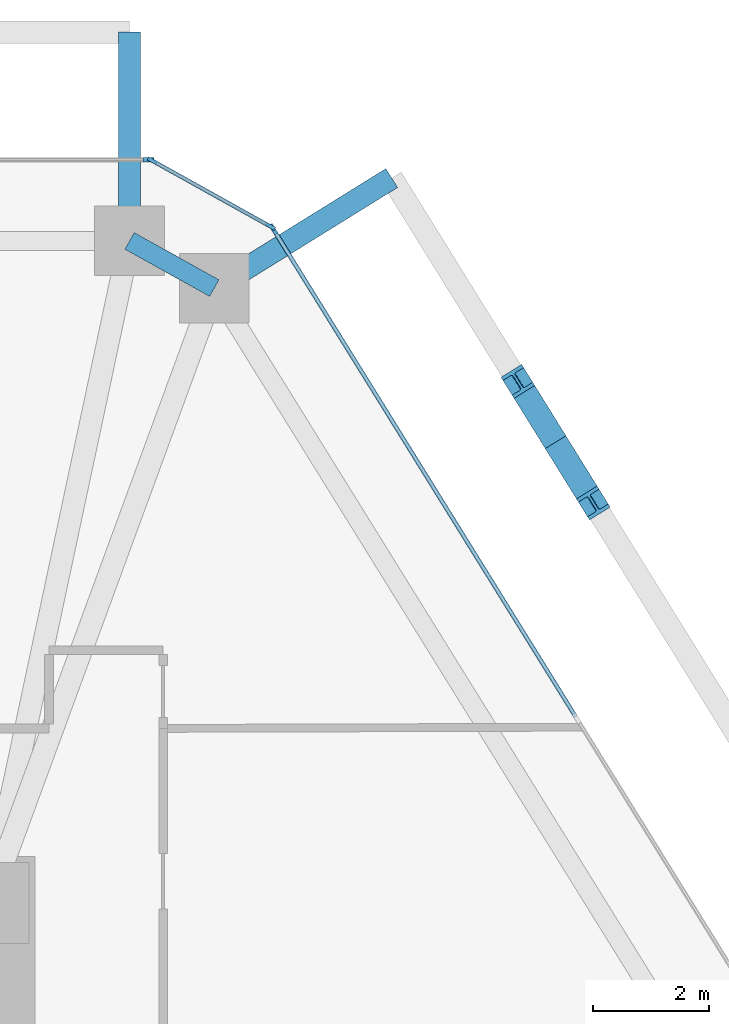
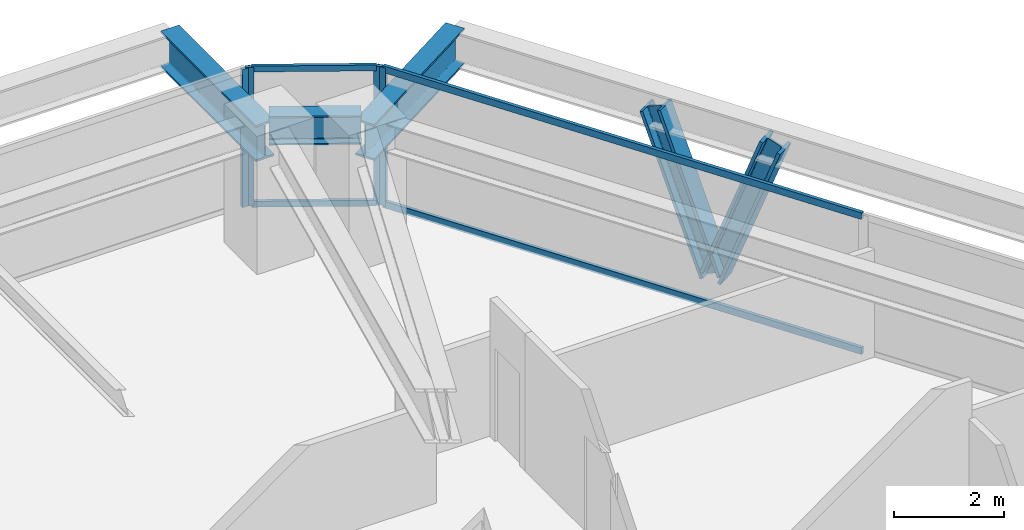
# One storey, part 8 of 13: 10 members, 3 beams, 3 elements without a shape of their own.
"""IFC4 building model written with IfcOpenShell, lengths in metres."""

from ifc_helpers import new_model, si_unit, direction, frame, origin, origin_2d, place, context, subcontext, project, spatial, rectangle, i_section, extrude, source, transform, mapped, material, layer, layer_set, material_profile, profile_set, type_object, type_shapes, element, aggregate, save


model = new_model("IFC4")

# Units and contexts
model_context = context("Model", 3, precision=1e-05, world=origin(), true_north=direction((0.0, 1.0)))
body_context = subcontext(model_context, "Body", "Model", "MODEL_VIEW")
ifc_project = project(units=[si_unit("LENGTHUNIT", "METRE"), si_unit("AREAUNIT", "SQUARE_METRE"), si_unit("VOLUMEUNIT", "CUBIC_METRE"), si_unit("PLANEANGLEUNIT", "RADIAN"), si_unit("MASSUNIT", "GRAM", prefix="KILO")], contexts=[model_context])

# Site, building, storey
site_placement = place(None, origin())
site = spatial("IfcSite", under=ifc_project, at=site_placement, CompositionType="ELEMENT")
building_placement = place(site_placement, origin())
building = spatial("IfcBuilding", under=site, at=building_placement, Name="Durnholm Broadcast Tower", CompositionType="ELEMENT")
storey_placement = place(building_placement, frame((0.0, 0.0, 133.800048828125)))
storey = spatial("IfcBuildingStorey", under=building, at=storey_placement, Name="L36", CompositionType="ELEMENT", Elevation=133.800048828125)

# Beams
ifc_material_1 = material(Name="Steel ASTM A992 Grade 50", Category="steel")
ifc_material_profile_1 = material_profile(ifc_material_1, i_section(OverallWidth=0.385009765625, OverallDepth=0.802978515625, WebThickness=0.023681640625, FlangeThickness=0.0419921875, FilletRadius=0.032958984375, at=origin_2d()), Name="W30X261")
ifc_profile_set_1 = profile_set([ifc_material_profile_1], Name="Steel ASTM A992 Grade 50")
beam_type_1 = type_object("IfcBeamType", Name="BM-EXO-TIE", PredefinedType="USERDEFINED", material=ifc_profile_set_1)
shared_shape_1 = source(origin(), body_context, "Body", "SweptSolid", [
    extrude(i_section(OverallWidth=0.385009765625, OverallDepth=0.802978515625, WebThickness=0.023681640625, FlangeThickness=0.0419921875, FilletRadius=0.032958984375, at=origin_2d()), origin(), (0.0, 0.0, 1.0), 3.4560546875),
])
beam_1_placement = place(storey_placement, frame((12.22998046875, 19.35888671875, 2.30859375), z_axis=(0.0, 1.0, 0.0), x_axis=(-1.0, 0.0, 0.0)))
element("IfcBeam", 1, at=beam_1_placement, inside=storey, type_object=beam_type_1, Name="L36 exoskeleton stand-off tie bracket F4.1", ObjectType="GIRDER", PredefinedType="USERDEFINED", context=body_context, shape_type="MappedRepresentation", body=[
    mapped(shared_shape_1, transform((0.0, 0.0, 0.0), x_axis=(1.0, 0.0, 0.0), y_axis=(0.0, 1.0, 0.0), z_axis=(0.0, 0.0, 1.0), scale=1.0)),
])
shared_shape_2 = source(origin(), body_context, "Body", "SweptSolid", [
    extrude(i_section(OverallWidth=0.385009765625, OverallDepth=0.802978515625, WebThickness=0.023681640625, FlangeThickness=0.0419921875, FilletRadius=0.032958984375, at=origin_2d()), origin(), (0.0, 0.0, 1.0), 3.455810546875),
])
type_shapes(beam_type_1, [shared_shape_1, shared_shape_2])
beam_2_placement = place(storey_placement, frame((13.814697265625, 18.477294921875, 2.30859375), z_axis=(0.849807128357, 0.527093772107, 0.0), x_axis=(-0.527093772107, 0.849807128357, 0.0)))
element("IfcBeam", 2, at=beam_2_placement, inside=storey, type_object=beam_type_1, Name="L36 exoskeleton stand-off tie bracket F3.2", ObjectType="GIRDER", PredefinedType="USERDEFINED", context=body_context, shape_type="MappedRepresentation", body=[
    mapped(shared_shape_2, transform((0.0, 0.0, 0.0), x_axis=(1.0, 0.0, 0.0), y_axis=(0.0, 1.0, 0.0), z_axis=(0.0, 0.0, 1.0), scale=1.0)),
])
ifc_material_profile_2 = material_profile(ifc_material_1, i_section(OverallWidth=0.3291015625, OverallDepth=0.635009765625, WebThickness=0.017822265625, FlangeThickness=0.031005859375, FilletRadius=0.02783203125, at=origin_2d()), Name="W24X162")
ifc_profile_set_2 = profile_set([ifc_material_profile_2], Name="Steel ASTM A992 Grade 50")
beam_type_2 = type_object("IfcBeamType", Name="STL-SP-W24X162", PredefinedType="SPANDREL", material=ifc_profile_set_2)
shared_shape_3 = source(origin(), body_context, "Body", "SweptSolid", [
    extrude(i_section(OverallWidth=0.3291015625, OverallDepth=0.635009765625, WebThickness=0.017822265625, FlangeThickness=0.031005859375, FilletRadius=0.02783203125, at=origin_2d()), origin(), (0.0, 0.0, 1.0), 1.67333984375),
])
type_shapes(beam_type_2, [shared_shape_3])
beam_3_placement = place(storey_placement, frame((12.22998046875, 19.215087890625, 2.7275390625), z_axis=(0.873799169188, -0.486286964586, 0.0), x_axis=(0.486286964586, 0.873799169188, 0.0)))
element("IfcBeam", 3, at=beam_3_placement, inside=storey, type_object=beam_type_2, Name="L36 perimeter spandrel girder 06", PredefinedType="SPANDREL", context=body_context, shape_type="MappedRepresentation", body=[
    mapped(shared_shape_3, transform((0.0, 0.0, 0.0), x_axis=(1.0, 0.0, 0.0), y_axis=(0.0, 1.0, 0.0), z_axis=(0.0, 0.0, 1.0), scale=1.0)),
])

# Members
ifc_material_2 = material(Name="Steel ASTM A913 Grade 65", Category="steel")
ifc_material_profile_3 = material_profile(ifc_material_2, i_section(OverallWidth=0.41845703125, OverallDepth=0.455078125, WebThickness=0.0419921875, FlangeThickness=0.067626953125, FilletRadius=0.030517578125, at=origin_2d()), Name="W14X370")
ifc_profile_set_3 = profile_set([ifc_material_profile_3], Name="Steel ASTM A913 Grade 65")
member_type_1 = type_object("IfcMemberType", Name="STL-DG-W14X370", PredefinedType="BRACE", material=ifc_profile_set_3)
shared_shape_4 = source(origin(), body_context, "Body", "SweptSolid", [
    extrude(i_section(OverallWidth=0.41845703125, OverallDepth=0.455078125, WebThickness=0.0419921875, FlangeThickness=0.067626953125, FilletRadius=0.030517578125, at=origin_2d()), origin(), (0.0, 0.0, 1.0), 3.523193359375),
])
member_1_placement = place(storey_placement, frame((19.576416015625, 15.74462890625, -0.991455078125), z_axis=(-0.184669768468, 0.297619758188, 0.936653381006), x_axis=(-0.849716575602, -0.52723973783, 0.0)))
element("IfcMember", 4, at=member_1_placement, inside=storey, type_object=member_type_1, Name="L36 stand-off diagrid brace F3.D2.2", PredefinedType="BRACE", context=body_context, shape_type="MappedRepresentation", body=[
    mapped(shared_shape_4, transform((0.0, 0.0, 0.0), x_axis=(1.0, 0.0, 0.0), y_axis=(0.0, 1.0, 0.0), z_axis=(0.0, 0.0, 1.0), scale=1.0)),
])
shared_shape_5 = source(origin(), body_context, "Body", "SweptSolid", [
    extrude(i_section(OverallWidth=0.41845703125, OverallDepth=0.455078125, WebThickness=0.0419921875, FlangeThickness=0.067626953125, FilletRadius=0.030517578125, at=origin_2d()), origin(), (0.0, 0.0, 1.0), 3.52294921875),
])
type_shapes(member_type_1, [shared_shape_4, shared_shape_5])
member_2_placement = place(storey_placement, frame((19.576416015625, 15.74462890625, -0.991455078125), z_axis=(0.184539706302, -0.297564212865, 0.936696661689), x_axis=(0.849838868368, 0.527042595823, 0.0)))
element("IfcMember", 5, at=member_2_placement, inside=storey, type_object=member_type_1, Name="L36 stand-off diagrid brace F3.D2.1", PredefinedType="BRACE", context=body_context, shape_type="MappedRepresentation", body=[
    mapped(shared_shape_5, transform((0.0, 0.0, 0.0), x_axis=(1.0, 0.0, 0.0), y_axis=(0.0, 1.0, 0.0), z_axis=(0.0, 0.0, 1.0), scale=1.0)),
])

# Curtain wall, members
ifc_material_3 = material(Name="Aluminium and Solar Control IGU", Category="aluminium")
ifc_layer_1 = layer(ifc_material_3, 0.1650390625)
ifc_layer_set_1 = layer_set([ifc_layer_1], Name="Aluminium and Solar Control IGU")
curtain_wall_type_1 = type_object("IfcCurtainWallType", Name="CW-SYS-5", PredefinedType="NOTDEFINED", material=ifc_layer_set_1)
curtain_wall_1_placement = place(storey_placement, origin())
curtain_wall_1 = element("IfcCurtainWall", 6, at=curtain_wall_1_placement, inside=storey, type_object=curtain_wall_type_1, Name="L36 curtain wall CW-CORNER CW-L36-CRN-05", PredefinedType="NOTDEFINED")
ifc_material_4 = material(Name="Aluminium 6063-T6", Category="aluminium")
ifc_material_profile_4 = material_profile(ifc_material_4, rectangle(XDim=0.06494140625, YDim=0.1650390625, at=origin_2d()), Name="CWM65X165")
ifc_profile_set_4 = profile_set([ifc_material_profile_4], Name="Aluminium 6063-T6")
member_type_2 = type_object("IfcMemberType", Name="CW-SYS-5-MUL", PredefinedType="MULLION", material=ifc_profile_set_4)
shared_shape_6 = source(origin(), body_context, "Body", "SweptSolid", [
    extrude(rectangle(XDim=0.06494140625, YDim=0.1650390625, at=origin_2d()), origin(), (0.0, 0.0, 1.0), 3.06005859375),
])
type_shapes(member_type_2, [shared_shape_6])
member_3_placement = place(storey_placement, frame((12.62158203125, 20.59912109375, 0.0), z_axis=(0.0, 0.0, 1.0), x_axis=(0.486244224192, 0.873822953715, 0.0)))
member_3 = element("IfcMember", 7, at=member_3_placement, type_object=member_type_2, Name="CW-CORNER mullion 1", PredefinedType="MULLION", context=body_context, shape_type="MappedRepresentation", body=[
    mapped(shared_shape_6, transform((0.0, 0.0, 0.0), x_axis=(1.0, 0.0, 0.0), y_axis=(0.0, 1.0, 0.0), z_axis=(0.0, 0.0, 1.0), scale=1.0)),
])
member_4_placement = place(storey_placement, frame((14.662109375, 19.4638671875, 0.0), z_axis=(0.0, 0.0, 1.0), x_axis=(0.486244224192, 0.873822953715, 0.0)))
member_4 = element("IfcMember", 8, at=member_4_placement, type_object=member_type_2, Name="CW-CORNER mullion 2", PredefinedType="MULLION", context=body_context, shape_type="MappedRepresentation", body=[
    mapped(shared_shape_6, transform((0.0, 0.0, 0.0), x_axis=(1.0, 0.0, 0.0), y_axis=(0.0, 1.0, 0.0), z_axis=(0.0, 0.0, 1.0), scale=1.0)),
])

# Curtain wall, member
ifc_layer_2 = layer(ifc_material_3, 0.18994140625)
ifc_layer_set_2 = layer_set([ifc_layer_2], Name="Aluminium and Solar Control IGU")
curtain_wall_type_2 = type_object("IfcCurtainWallType", Name="CW-SYS-3", PredefinedType="NOTDEFINED", material=ifc_layer_set_2)
curtain_wall_2_placement = place(storey_placement, origin())
curtain_wall_2 = element("IfcCurtainWall", 9, at=curtain_wall_2_placement, inside=storey, type_object=curtain_wall_type_2, Name="L36 curtain wall CW-Z12-VIS CW-L36-F04", PredefinedType="NOTDEFINED")
ifc_material_profile_5 = material_profile(ifc_material_4, rectangle(XDim=0.070068359375, YDim=0.18994140625, at=origin_2d()), Name="CWM70X190")
ifc_profile_set_5 = profile_set([ifc_material_profile_5], Name="Aluminium 6063-T6")
member_type_3 = type_object("IfcMemberType", Name="CW-SYS-3-MUL", PredefinedType="MULLION", material=ifc_profile_set_5)
shared_shape_7 = source(origin(), body_context, "Body", "SweptSolid", [
    extrude(rectangle(XDim=0.070068359375, YDim=0.18994140625, at=origin_2d()), origin(), (0.0, 0.0, 1.0), 3.06005859375),
])
type_shapes(member_type_3, [shared_shape_7])
member_5_placement = place(storey_placement, frame((12.55810546875, 20.614990234375, 0.0), z_axis=(0.0, 0.0, 1.0), x_axis=(0.0, 1.0, 0.0)))
member_5 = element("IfcMember", 10, at=member_5_placement, type_object=member_type_3, Name="CW-Z12-VIS mullion 3", PredefinedType="MULLION", context=body_context, shape_type="MappedRepresentation", body=[
    mapped(shared_shape_7, transform((0.0, 0.0, 0.0), x_axis=(1.0, 0.0, 0.0), y_axis=(0.0, 1.0, 0.0), z_axis=(0.0, 0.0, 1.0), scale=1.0)),
])
aggregate(curtain_wall_2, [member_5])

curtain_wall_3_placement = place(storey_placement, origin())
curtain_wall_3 = element("IfcCurtainWall", 11, at=curtain_wall_3_placement, inside=storey, type_object=curtain_wall_type_2, Name="L36 curtain wall CW-Z12-VIS CW-L36-F06", PredefinedType="NOTDEFINED")
member_6_placement = place(storey_placement, frame((14.708740234375, 19.418212890625, 0.0), z_axis=(0.0, 0.0, 1.0), x_axis=(0.849799925229, 0.527105385176, 0.0)))
member_6 = element("IfcMember", 12, at=member_6_placement, type_object=member_type_3, Name="CW-Z12-VIS mullion 1", PredefinedType="MULLION", context=body_context, shape_type="MappedRepresentation", body=[
    mapped(shared_shape_7, transform((0.0, 0.0, 0.0), x_axis=(1.0, 0.0, 0.0), y_axis=(0.0, 1.0, 0.0), z_axis=(0.0, 0.0, 1.0), scale=1.0)),
])

# Member
ifc_material_profile_6 = material_profile(ifc_material_4, rectangle(XDim=0.06494140625, YDim=0.1298828125, at=origin_2d()), Name="CWT65X130")
ifc_profile_set_6 = profile_set([ifc_material_profile_6], Name="Aluminium 6063-T6")
member_type_4 = type_object("IfcMemberType", Name="CW-SYS-5-TRN", PredefinedType="USERDEFINED", material=ifc_profile_set_6)
shared_shape_8 = source(origin(), body_context, "Body", "SweptSolid", [
    extrude(rectangle(XDim=0.06494140625, YDim=0.1298828125, at=origin_2d()), origin(), (0.0, 0.0, 1.0), 2.270263671875),
])
type_shapes(member_type_4, [shared_shape_8])
member_7_placement = place(storey_placement, frame((12.64990234375, 20.58349609375, 0.032470703125), z_axis=(0.873786708897, -0.486309353555, 0.0), x_axis=(0.486309353555, 0.873786708897, 0.0)))
member_7 = element("IfcMember", 13, at=member_7_placement, type_object=member_type_4, Name="CW-CORNER transom 1.1", ObjectType="TRANSOM", PredefinedType="USERDEFINED", context=body_context, shape_type="MappedRepresentation", body=[
    mapped(shared_shape_8, transform((0.0, 0.0, 0.0), x_axis=(1.0, 0.0, 0.0), y_axis=(0.0, 1.0, 0.0), z_axis=(0.0, 0.0, 1.0), scale=1.0)),
])

member_8_placement = place(storey_placement, frame((12.64990234375, 20.58349609375, 3.02734375), z_axis=(0.873786708897, -0.486309353555, 0.0), x_axis=(0.486309353555, 0.873786708897, 0.0)))
member_8 = element("IfcMember", 14, at=member_8_placement, type_object=member_type_4, Name="CW-CORNER transom 1.2", ObjectType="TRANSOM", PredefinedType="USERDEFINED", context=body_context, shape_type="MappedRepresentation", body=[
    mapped(shared_shape_8, transform((0.0, 0.0, 0.0), x_axis=(1.0, 0.0, 0.0), y_axis=(0.0, 1.0, 0.0), z_axis=(0.0, 0.0, 1.0), scale=1.0)),
])

aggregate(curtain_wall_1, [member_3, member_4, member_7, member_8])

ifc_material_profile_7 = material_profile(ifc_material_4, rectangle(XDim=0.070068359375, YDim=0.14990234375, at=origin_2d()), Name="CWT70X150")
ifc_profile_set_7 = profile_set([ifc_material_profile_7], Name="Aluminium 6063-T6")
member_type_5 = type_object("IfcMemberType", Name="CW-SYS-3-TRN", PredefinedType="USERDEFINED", material=ifc_profile_set_7)
shared_shape_9 = source(origin(), body_context, "Body", "SweptSolid", [
    extrude(rectangle(XDim=0.070068359375, YDim=0.14990234375, at=origin_2d()), origin(), (0.0, 0.0, 1.0), 9.858642578125),
])
type_shapes(member_type_5, [shared_shape_9])
member_9_placement = place(storey_placement, frame((14.727294921875, 19.388427734375, 0.034912109375), z_axis=(0.527102081419, -0.849801974441, 0.0), x_axis=(0.849801974441, 0.527102081419, 0.0)))
member_9 = element("IfcMember", 15, at=member_9_placement, type_object=member_type_5, Name="CW-Z12-VIS transom 1.1", ObjectType="TRANSOM", PredefinedType="USERDEFINED", context=body_context, shape_type="MappedRepresentation", body=[
    mapped(shared_shape_9, transform((0.0, 0.0, 0.0), x_axis=(1.0, 0.0, 0.0), y_axis=(0.0, 1.0, 0.0), z_axis=(0.0, 0.0, 1.0), scale=1.0)),
])

member_10_placement = place(storey_placement, frame((14.727294921875, 19.388427734375, 3.02490234375), z_axis=(0.527102081419, -0.849801974441, 0.0), x_axis=(0.849801974441, 0.527102081419, 0.0)))
member_10 = element("IfcMember", 16, at=member_10_placement, type_object=member_type_5, Name="CW-Z12-VIS transom 1.2", ObjectType="TRANSOM", PredefinedType="USERDEFINED", context=body_context, shape_type="MappedRepresentation", body=[
    mapped(shared_shape_9, transform((0.0, 0.0, 0.0), x_axis=(1.0, 0.0, 0.0), y_axis=(0.0, 1.0, 0.0), z_axis=(0.0, 0.0, 1.0), scale=1.0)),
])

aggregate(curtain_wall_3, [member_6, member_9, member_10])

save(model, "model.ifc")
